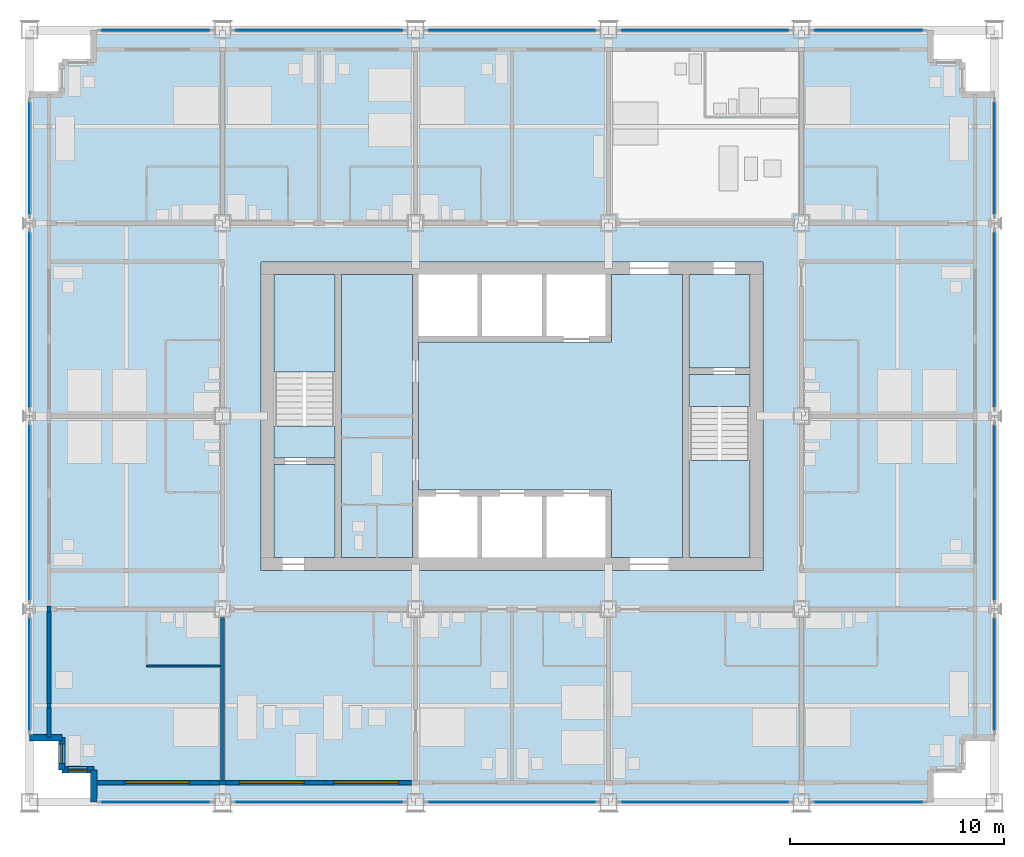
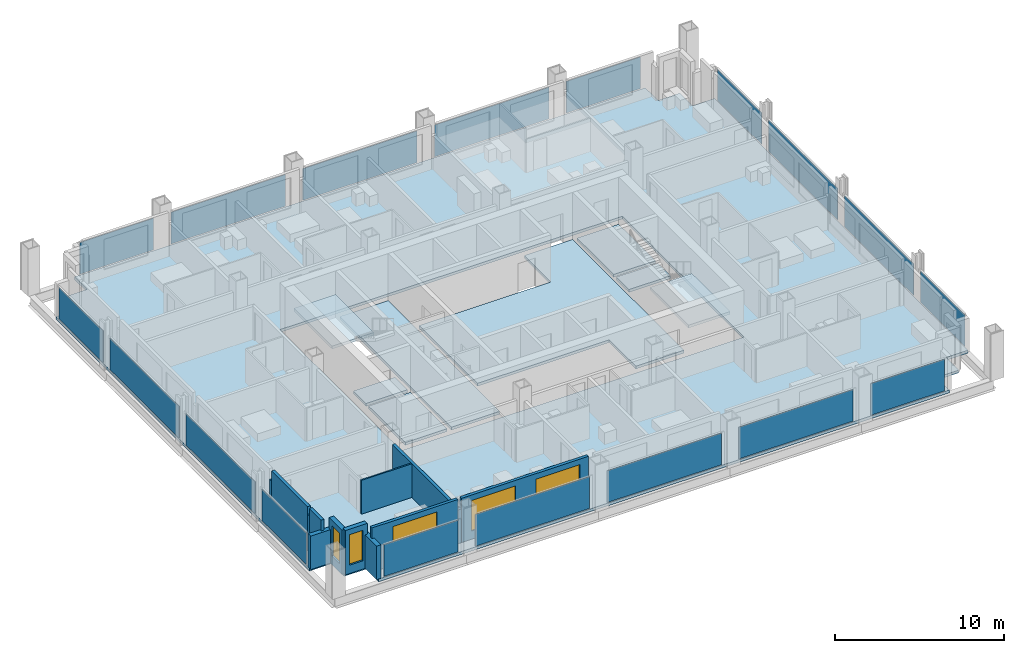
# One storey, part 8 of 16: 18 plates, 13 walls, 9 slabs, 5 windows, 5 openings, 20 elements without a shape of their own.
"""IFC4 building model written with IfcOpenShell, lengths in metres."""

from ifc_helpers import new_model, si_unit, direction, frame, frame_2d, origin, origin_2d, place, context, subcontext, project, spatial, polyline, rectangle, outline, extrude, material, layer, layer_set, type_object, element, fill, aggregate, save


model = new_model("IFC4")

# Units and contexts
model_context = context("Model", 3, precision=1e-05, world=origin(), true_north=direction((0.0, 1.0)))
body_context = subcontext(model_context, "Body", "Model", "MODEL_VIEW")
ifc_project = project(units=[si_unit("LENGTHUNIT", "METRE"), si_unit("AREAUNIT", "SQUARE_METRE"), si_unit("VOLUMEUNIT", "CUBIC_METRE"), si_unit("PLANEANGLEUNIT", "RADIAN"), si_unit("MASSUNIT", "GRAM", prefix="KILO")], contexts=[model_context])

# Site, building, storey
site_placement = place(None, origin())
site = spatial("IfcSite", under=ifc_project, at=site_placement, CompositionType="ELEMENT")
building_placement = place(site_placement, origin())
building = spatial("IfcBuilding", under=site, at=building_placement, Name="Loomwork Tower", CompositionType="ELEMENT")
storey_placement = place(building_placement, frame((0.0, 0.0, 128.199951171875)))
storey = spatial("IfcBuildingStorey", under=building, at=storey_placement, Name="L34", CompositionType="ELEMENT", Elevation=128.199951171875)

# Slabs
ifc_material_1 = material(Name="Concrete 5000 psi (34 MPa) on composite metal deck", Category="concrete")
ifc_layer_1 = layer(ifc_material_1, 0.199951171875)
ifc_layer_set_1 = layer_set([ifc_layer_1], Name="Floor slab 200")
slab_type_1 = type_object("IfcSlabType", Name="Floor slab 200", PredefinedType="FLOOR", material=ifc_layer_set_1)
slab_1_placement = place(storey_placement, frame((0.0, 0.0, -0.199951171875)))
element("IfcSlab", 1, at=slab_1_placement, inside=storey, type_object=slab_type_1, Name="Floor slab L34", PredefinedType="FLOOR", context=body_context, shape_type="SweptSolid", body=[
    extrude(outline(polyline([(3.0, 1.5), (1.5, 1.5), (1.5, 3.0), (0.0, 3.0), (0.0, 33.0), (1.5, 33.0), (1.5, 34.5), (3.0, 34.5), (3.0, 36.0), (42.0, 36.0), (42.0, 34.5), (43.5, 34.5), (43.5, 33.0), (45.0, 33.0), (45.0, 3.0), (43.5, 3.0), (43.5, 1.5), (42.0, 1.5), (42.0, 0.0), (3.0, 0.0), (3.0, 1.5)]), holes=[polyline([(10.800048828125, 11.39990234375), (10.800048828125, 11.39990234375), (10.800048828125, 10.800048828125), (34.199951171875, 10.800048828125), (34.199951171875, 11.39990234375), (34.199951171875, 11.39990234375), (34.199951171875, 24.60009765625), (34.199951171875, 25.199951171875), (10.800048828125, 25.199951171875), (10.800048828125, 24.60009765625), (10.800048828125, 11.39990234375)])]), origin(), (0.0, 0.0, 1.0), 0.199951171875),
])
slab_2_placement = place(storey_placement, frame((0.0, 0.0, -0.199951171875)))
element("IfcSlab", 2, at=slab_2_placement, inside=storey, type_object=slab_type_1, Name="Floor slab L34", PredefinedType="FLOOR", context=body_context, shape_type="SweptSolid", body=[
    extrude(outline(polyline([(30.449951171875, 24.60009765625), (30.449951171875, 11.39990234375), (27.14990234375, 11.39990234375), (27.14990234375, 14.25), (27.14990234375, 14.550048828125), (18.14990234375, 14.550048828125), (18.14990234375, 21.449951171875), (27.14990234375, 21.449951171875), (27.14990234375, 21.75), (27.14990234375, 24.60009765625), (30.449951171875, 24.60009765625)])), origin(), (0.0, 0.0, 1.0), 0.199951171875),
])
slab_3_placement = place(storey_placement, frame((0.0, 0.0, -0.199951171875)))
element("IfcSlab", 3, at=slab_3_placement, inside=storey, type_object=slab_type_1, Name="Floor slab L34", PredefinedType="FLOOR", context=body_context, shape_type="SweptSolid", body=[
    extrude(outline(polyline([(14.550048828125, 11.39990234375), (14.550048828125, 24.60009765625), (17.85009765625, 24.60009765625), (17.85009765625, 11.39990234375), (14.550048828125, 11.39990234375)])), origin(), (0.0, 0.0, 1.0), 0.199951171875),
])
slab_4_placement = place(storey_placement, frame((0.0, 0.0, -0.199951171875)))
element("IfcSlab", 4, at=slab_4_placement, inside=storey, type_object=slab_type_1, Name="Floor slab L34", PredefinedType="FLOOR", context=body_context, shape_type="SweptSolid", body=[
    extrude(outline(polyline([(33.60009765625, 20.25), (30.75, 20.25), (30.75, 24.60009765625), (33.60009765625, 24.60009765625), (33.60009765625, 20.25)])), origin(), (0.0, 0.0, 1.0), 0.199951171875),
])
slab_5_placement = place(storey_placement, frame((0.0, 0.0, -0.199951171875)))
element("IfcSlab", 5, at=slab_5_placement, inside=storey, type_object=slab_type_1, Name="Floor slab L34", PredefinedType="FLOOR", context=body_context, shape_type="SweptSolid", body=[
    extrude(outline(polyline([(14.25, 15.75), (14.25, 11.39990234375), (11.39990234375, 11.39990234375), (11.39990234375, 15.75), (14.25, 15.75)])), origin(), (0.0, 0.0, 1.0), 0.199951171875),
])

# Curtain wall, plate
ifc_material_2 = material(Name="Aluminium curtain wall frame", Category="aluminium")
curtain_wall_type = type_object("IfcCurtainWallType", Name="Outer skin glazing hotel", PredefinedType="NOTDEFINED", material=ifc_material_2)
curtain_wall_1_placement = place(storey_placement, origin())
curtain_wall_1 = element("IfcCurtainWall", 6, at=curtain_wall_1_placement, inside=storey, type_object=curtain_wall_type, Name="Outer skin glazing hotel cw/S-0", PredefinedType="NOTDEFINED")
ifc_material_3 = material(Name="Clear laminated glass", Category="glass")
ifc_layer_2 = layer(ifc_material_3, 0.02392578125)
ifc_layer_set_2 = layer_set([ifc_layer_2], Name="Outer skin glazing hotel panel")
plate_type = type_object("IfcPlateType", Name="Outer skin glazing hotel panel", PredefinedType="CURTAIN_PANEL", material=ifc_layer_set_2)
plate_1_placement = place(storey_placement, frame((5.875, 0.0, 0.06494140625), z_axis=(0.0, 0.0, 1.0), x_axis=(1.0, 0.0, 0.0)))
plate_1 = element("IfcPlate", 7, at=plate_1_placement, type_object=plate_type, Name="CW1 panel 1.1", PredefinedType="CURTAIN_PANEL", context=body_context, shape_type="SweptSolid", body=[
    extrude(rectangle(XDim=5.050048828125, YDim=0.02392578125, at=origin_2d()), origin(), (0.0, 0.0, 1.0), 2.290283203125),
])
aggregate(curtain_wall_1, [plate_1])

curtain_wall_2_placement = place(storey_placement, origin())
curtain_wall_2 = element("IfcCurtainWall", 8, at=curtain_wall_2_placement, inside=storey, type_object=curtain_wall_type, Name="Outer skin glazing hotel cw/S-9", PredefinedType="NOTDEFINED")
plate_2_placement = place(storey_placement, frame((13.5, 0.0, 0.06494140625), z_axis=(0.0, 0.0, 1.0), x_axis=(1.0, 0.0, 0.0)))
plate_2 = element("IfcPlate", 9, at=plate_2_placement, type_object=plate_type, Name="CW1 panel 1.1", PredefinedType="CURTAIN_PANEL", context=body_context, shape_type="SweptSolid", body=[
    extrude(rectangle(XDim=7.800048828125, YDim=0.02392578125, at=origin_2d()), origin(), (0.0, 0.0, 1.0), 2.290283203125),
])
aggregate(curtain_wall_2, [plate_2])

curtain_wall_3_placement = place(storey_placement, origin())
curtain_wall_3 = element("IfcCurtainWall", 10, at=curtain_wall_3_placement, inside=storey, type_object=curtain_wall_type, Name="Outer skin glazing hotel cw/S-18", PredefinedType="NOTDEFINED")
plate_3_placement = place(storey_placement, frame((22.5, 0.0, 0.06494140625), z_axis=(0.0, 0.0, 1.0), x_axis=(1.0, 0.0, 0.0)))
plate_3 = element("IfcPlate", 11, at=plate_3_placement, type_object=plate_type, Name="CW1 panel 1.1", PredefinedType="CURTAIN_PANEL", context=body_context, shape_type="SweptSolid", body=[
    extrude(rectangle(XDim=7.800048828125, YDim=0.02392578125, at=origin_2d()), origin(), (0.0, 0.0, 1.0), 2.290283203125),
])
aggregate(curtain_wall_3, [plate_3])

curtain_wall_4_placement = place(storey_placement, origin())
curtain_wall_4 = element("IfcCurtainWall", 12, at=curtain_wall_4_placement, inside=storey, type_object=curtain_wall_type, Name="Outer skin glazing hotel cw/S-27", PredefinedType="NOTDEFINED")
plate_4_placement = place(storey_placement, frame((31.5, 0.0, 0.06494140625), z_axis=(0.0, 0.0, 1.0), x_axis=(1.0, 0.0, 0.0)))
plate_4 = element("IfcPlate", 13, at=plate_4_placement, type_object=plate_type, Name="CW1 panel 1.1", PredefinedType="CURTAIN_PANEL", context=body_context, shape_type="SweptSolid", body=[
    extrude(rectangle(XDim=7.800048828125, YDim=0.02392578125, at=origin_2d()), origin(), (0.0, 0.0, 1.0), 2.290283203125),
])
aggregate(curtain_wall_4, [plate_4])

curtain_wall_5_placement = place(storey_placement, origin())
curtain_wall_5 = element("IfcCurtainWall", 14, at=curtain_wall_5_placement, inside=storey, type_object=curtain_wall_type, Name="Outer skin glazing hotel cw/S-36", PredefinedType="NOTDEFINED")
plate_5_placement = place(storey_placement, frame((39.125, 0.0, 0.06494140625), z_axis=(0.0, 0.0, 1.0), x_axis=(1.0, 0.0, 0.0)))
plate_5 = element("IfcPlate", 15, at=plate_5_placement, type_object=plate_type, Name="CW1 panel 1.1", PredefinedType="CURTAIN_PANEL", context=body_context, shape_type="SweptSolid", body=[
    extrude(rectangle(XDim=5.050048828125, YDim=0.02392578125, at=origin_2d()), origin(), (0.0, 0.0, 1.0), 2.290283203125),
])
aggregate(curtain_wall_5, [plate_5])

curtain_wall_6_placement = place(storey_placement, origin())
curtain_wall_6 = element("IfcCurtainWall", 16, at=curtain_wall_6_placement, inside=storey, type_object=curtain_wall_type, Name="Outer skin glazing hotel cw/N-0", PredefinedType="NOTDEFINED")
plate_6_placement = place(storey_placement, frame((5.875, 36.0, 0.06494140625), z_axis=(0.0, 0.0, 1.0), x_axis=(-1.0, 0.0, 0.0)))
plate_6 = element("IfcPlate", 17, at=plate_6_placement, type_object=plate_type, Name="CW1 panel 1.1", PredefinedType="CURTAIN_PANEL", context=body_context, shape_type="SweptSolid", body=[
    extrude(rectangle(XDim=5.050048828125, YDim=0.02392578125, at=origin_2d()), origin(), (0.0, 0.0, 1.0), 2.290283203125),
])
aggregate(curtain_wall_6, [plate_6])

curtain_wall_7_placement = place(storey_placement, origin())
curtain_wall_7 = element("IfcCurtainWall", 18, at=curtain_wall_7_placement, inside=storey, type_object=curtain_wall_type, Name="Outer skin glazing hotel cw/N-9", PredefinedType="NOTDEFINED")
plate_7_placement = place(storey_placement, frame((13.5, 36.0, 0.06494140625), z_axis=(0.0, 0.0, 1.0), x_axis=(-1.0, 0.0, 0.0)))
plate_7 = element("IfcPlate", 19, at=plate_7_placement, type_object=plate_type, Name="CW1 panel 1.1", PredefinedType="CURTAIN_PANEL", context=body_context, shape_type="SweptSolid", body=[
    extrude(rectangle(XDim=7.800048828125, YDim=0.02392578125, at=origin_2d()), origin(), (0.0, 0.0, 1.0), 2.290283203125),
])
aggregate(curtain_wall_7, [plate_7])

curtain_wall_8_placement = place(storey_placement, origin())
curtain_wall_8 = element("IfcCurtainWall", 20, at=curtain_wall_8_placement, inside=storey, type_object=curtain_wall_type, Name="Outer skin glazing hotel cw/N-18", PredefinedType="NOTDEFINED")
plate_8_placement = place(storey_placement, frame((22.5, 36.0, 0.06494140625), z_axis=(0.0, 0.0, 1.0), x_axis=(-1.0, 0.0, 0.0)))
plate_8 = element("IfcPlate", 21, at=plate_8_placement, type_object=plate_type, Name="CW1 panel 1.1", PredefinedType="CURTAIN_PANEL", context=body_context, shape_type="SweptSolid", body=[
    extrude(rectangle(XDim=7.800048828125, YDim=0.02392578125, at=origin_2d()), origin(), (0.0, 0.0, 1.0), 2.290283203125),
])
aggregate(curtain_wall_8, [plate_8])

curtain_wall_9_placement = place(storey_placement, origin())
curtain_wall_9 = element("IfcCurtainWall", 22, at=curtain_wall_9_placement, inside=storey, type_object=curtain_wall_type, Name="Outer skin glazing hotel cw/N-27", PredefinedType="NOTDEFINED")
plate_9_placement = place(storey_placement, frame((31.5, 36.0, 0.06494140625), z_axis=(0.0, 0.0, 1.0), x_axis=(-1.0, 0.0, 0.0)))
plate_9 = element("IfcPlate", 23, at=plate_9_placement, type_object=plate_type, Name="CW1 panel 1.1", PredefinedType="CURTAIN_PANEL", context=body_context, shape_type="SweptSolid", body=[
    extrude(rectangle(XDim=7.800048828125, YDim=0.02392578125, at=origin_2d()), origin(), (0.0, 0.0, 1.0), 2.290283203125),
])
aggregate(curtain_wall_9, [plate_9])

curtain_wall_10_placement = place(storey_placement, origin())
curtain_wall_10 = element("IfcCurtainWall", 24, at=curtain_wall_10_placement, inside=storey, type_object=curtain_wall_type, Name="Outer skin glazing hotel cw/N-36", PredefinedType="NOTDEFINED")
plate_10_placement = place(storey_placement, frame((39.125, 36.0, 0.06494140625), z_axis=(0.0, 0.0, 1.0), x_axis=(-1.0, 0.0, 0.0)))
plate_10 = element("IfcPlate", 25, at=plate_10_placement, type_object=plate_type, Name="CW1 panel 1.1", PredefinedType="CURTAIN_PANEL", context=body_context, shape_type="SweptSolid", body=[
    extrude(rectangle(XDim=5.050048828125, YDim=0.02392578125, at=origin_2d()), origin(), (0.0, 0.0, 1.0), 2.290283203125),
])
aggregate(curtain_wall_10, [plate_10])

curtain_wall_11_placement = place(storey_placement, origin())
curtain_wall_11 = element("IfcCurtainWall", 26, at=curtain_wall_11_placement, inside=storey, type_object=curtain_wall_type, Name="Outer skin glazing hotel cw/W-0", PredefinedType="NOTDEFINED")
plate_11_placement = place(storey_placement, frame((0.0, 5.964599609375, 0.06494140625), z_axis=(0.0, 0.0, 1.0), x_axis=(0.0, -1.0, 0.0)))
plate_11 = element("IfcPlate", 27, at=plate_11_placement, type_object=plate_type, Name="CW1 panel 1.1", PredefinedType="CURTAIN_PANEL", context=body_context, shape_type="SweptSolid", body=[
    extrude(rectangle(XDim=5.22900390625, YDim=0.02392578125, at=origin_2d()), origin(), (0.0, 0.0, 1.0), 2.290283203125),
])
aggregate(curtain_wall_11, [plate_11])

curtain_wall_12_placement = place(storey_placement, origin())
curtain_wall_12 = element("IfcCurtainWall", 28, at=curtain_wall_12_placement, inside=storey, type_object=curtain_wall_type, Name="Outer skin glazing hotel cw/W-9", PredefinedType="NOTDEFINED")
plate_12_placement = place(storey_placement, frame((0.0, 13.5, 0.06494140625), z_axis=(0.0, 0.0, 1.0), x_axis=(0.0, -1.0, 0.0)))
plate_12 = element("IfcPlate", 29, at=plate_12_placement, type_object=plate_type, Name="CW1 panel 1.1", PredefinedType="CURTAIN_PANEL", context=body_context, shape_type="SweptSolid", body=[
    extrude(rectangle(XDim=8.157958984375, YDim=0.02392578125, at=origin_2d()), origin(), (0.0, 0.0, 1.0), 2.290283203125),
])
aggregate(curtain_wall_12, [plate_12])

curtain_wall_13_placement = place(storey_placement, origin())
curtain_wall_13 = element("IfcCurtainWall", 30, at=curtain_wall_13_placement, inside=storey, type_object=curtain_wall_type, Name="Outer skin glazing hotel cw/W-18", PredefinedType="NOTDEFINED")
plate_13_placement = place(storey_placement, frame((0.0, 22.5, 0.06494140625), z_axis=(0.0, 0.0, 1.0), x_axis=(0.0, -1.0, 0.0)))
plate_13 = element("IfcPlate", 31, at=plate_13_placement, type_object=plate_type, Name="CW1 panel 1.1", PredefinedType="CURTAIN_PANEL", context=body_context, shape_type="SweptSolid", body=[
    extrude(rectangle(XDim=8.157958984375, YDim=0.02392578125, at=origin_2d()), origin(), (0.0, 0.0, 1.0), 2.290283203125),
])
aggregate(curtain_wall_13, [plate_13])

curtain_wall_14_placement = place(storey_placement, origin())
curtain_wall_14 = element("IfcCurtainWall", 32, at=curtain_wall_14_placement, inside=storey, type_object=curtain_wall_type, Name="Outer skin glazing hotel cw/W-27", PredefinedType="NOTDEFINED")
plate_14_placement = place(storey_placement, frame((0.0, 30.035400390625, 0.06494140625), z_axis=(0.0, 0.0, 1.0), x_axis=(0.0, -1.0, 0.0)))
plate_14 = element("IfcPlate", 33, at=plate_14_placement, type_object=plate_type, Name="CW1 panel 1.1", PredefinedType="CURTAIN_PANEL", context=body_context, shape_type="SweptSolid", body=[
    extrude(rectangle(XDim=5.22900390625, YDim=0.02392578125, at=origin_2d()), origin(), (0.0, 0.0, 1.0), 2.290283203125),
])
aggregate(curtain_wall_14, [plate_14])

curtain_wall_15_placement = place(storey_placement, origin())
curtain_wall_15 = element("IfcCurtainWall", 34, at=curtain_wall_15_placement, inside=storey, type_object=curtain_wall_type, Name="Outer skin glazing hotel cw/E-0", PredefinedType="NOTDEFINED")
plate_15_placement = place(storey_placement, frame((45.0, 5.964599609375, 0.06494140625), z_axis=(0.0, 0.0, 1.0), x_axis=(0.0, 1.0, 0.0)))
plate_15 = element("IfcPlate", 35, at=plate_15_placement, type_object=plate_type, Name="CW1 panel 1.1", PredefinedType="CURTAIN_PANEL", context=body_context, shape_type="SweptSolid", body=[
    extrude(rectangle(XDim=5.22900390625, YDim=0.02392578125, at=origin_2d()), origin(), (0.0, 0.0, 1.0), 2.290283203125),
])
aggregate(curtain_wall_15, [plate_15])

curtain_wall_16_placement = place(storey_placement, origin())
curtain_wall_16 = element("IfcCurtainWall", 36, at=curtain_wall_16_placement, inside=storey, type_object=curtain_wall_type, Name="Outer skin glazing hotel cw/E-9", PredefinedType="NOTDEFINED")
plate_16_placement = place(storey_placement, frame((45.0, 13.5, 0.06494140625), z_axis=(0.0, 0.0, 1.0), x_axis=(0.0, 1.0, 0.0)))
plate_16 = element("IfcPlate", 37, at=plate_16_placement, type_object=plate_type, Name="CW1 panel 1.1", PredefinedType="CURTAIN_PANEL", context=body_context, shape_type="SweptSolid", body=[
    extrude(rectangle(XDim=8.157958984375, YDim=0.02392578125, at=origin_2d()), origin(), (0.0, 0.0, 1.0), 2.290283203125),
])
aggregate(curtain_wall_16, [plate_16])

curtain_wall_17_placement = place(storey_placement, origin())
curtain_wall_17 = element("IfcCurtainWall", 38, at=curtain_wall_17_placement, inside=storey, type_object=curtain_wall_type, Name="Outer skin glazing hotel cw/E-18", PredefinedType="NOTDEFINED")
plate_17_placement = place(storey_placement, frame((45.0, 22.5, 0.06494140625), z_axis=(0.0, 0.0, 1.0), x_axis=(0.0, 1.0, 0.0)))
plate_17 = element("IfcPlate", 39, at=plate_17_placement, type_object=plate_type, Name="CW1 panel 1.1", PredefinedType="CURTAIN_PANEL", context=body_context, shape_type="SweptSolid", body=[
    extrude(rectangle(XDim=8.157958984375, YDim=0.02392578125, at=origin_2d()), origin(), (0.0, 0.0, 1.0), 2.290283203125),
])
aggregate(curtain_wall_17, [plate_17])

curtain_wall_18_placement = place(storey_placement, origin())
curtain_wall_18 = element("IfcCurtainWall", 40, at=curtain_wall_18_placement, inside=storey, type_object=curtain_wall_type, Name="Outer skin glazing hotel cw/E-27", PredefinedType="NOTDEFINED")
plate_18_placement = place(storey_placement, frame((45.0, 30.035400390625, 0.06494140625), z_axis=(0.0, 0.0, 1.0), x_axis=(0.0, 1.0, 0.0)))
plate_18 = element("IfcPlate", 41, at=plate_18_placement, type_object=plate_type, Name="CW1 panel 1.1", PredefinedType="CURTAIN_PANEL", context=body_context, shape_type="SweptSolid", body=[
    extrude(rectangle(XDim=5.22900390625, YDim=0.02392578125, at=origin_2d()), origin(), (0.0, 0.0, 1.0), 2.290283203125),
])
aggregate(curtain_wall_18, [plate_18])

# Stair, slabs
ifc_material_4 = material(Name="Concrete 5000 psi (34 MPa) precast stair", Category="concrete")
stair_type_1 = type_object("IfcStairType", Name="Stair ST-A 20 risers 2850 wide", PredefinedType="HALF_TURN_STAIR", material=ifc_material_4)
stair_1_placement = place(storey_placement, origin())
stair_1 = element("IfcStair", 42, at=stair_1_placement, inside=storey, type_object=stair_type_1, Name="Stair A L34", PredefinedType="HALF_TURN_STAIR")
ifc_material_5 = material(Name="Concrete 5000 psi (34 MPa)", Category="concrete")
ifc_layer_3 = layer(ifc_material_5, 0.199951171875)
ifc_layer_set_3 = layer_set([ifc_layer_3], Name="Stair landing 200")
slab_type_2 = type_object("IfcSlabType", Name="Stair landing 200", PredefinedType="LANDING", material=ifc_layer_set_3)
slab_6_placement = place(storey_placement, frame((0.0, 0.0, -0.199951171875)))
slab_6 = element("IfcSlab", 43, at=slab_6_placement, type_object=slab_type_2, Name="ST-A landing 1", PredefinedType="LANDING", context=body_context, shape_type="SweptSolid", body=[
    extrude(outline(polyline([(11.39990234375, 16.050048828125), (14.25, 16.050048828125), (14.25, 17.550048828125), (11.39990234375, 17.550048828125), (11.39990234375, 16.050048828125)])), origin(), (0.0, 0.0, 1.0), 0.199951171875),
])
slab_7_placement = place(storey_placement, frame((0.0, 0.0, 1.5)))
slab_7 = element("IfcSlab", 44, at=slab_7_placement, type_object=slab_type_2, Name="ST-A landing 2", PredefinedType="LANDING", context=body_context, shape_type="SweptSolid", body=[
    extrude(outline(polyline([(11.39990234375, 20.070068359375), (14.25, 20.070068359375), (14.25, 24.60009765625), (11.39990234375, 24.60009765625), (11.39990234375, 20.070068359375)])), origin(), (0.0, 0.0, 1.0), 0.199951171875),
])
aggregate(stair_1, [slab_6, slab_7])

ifc_material_6 = material(Name="Concrete 5000 psi (34 MPa) precast stair", Category="concrete")
stair_type_2 = type_object("IfcStairType", Name="Stair ST-B 20 risers 2850 wide", PredefinedType="HALF_TURN_STAIR", material=ifc_material_6)
stair_2_placement = place(storey_placement, origin())
stair_2 = element("IfcStair", 45, at=stair_2_placement, inside=storey, type_object=stair_type_2, Name="Stair B L34", PredefinedType="HALF_TURN_STAIR")
slab_8_placement = place(storey_placement, frame((0.0, 0.0, -0.199951171875)))
slab_8 = element("IfcSlab", 46, at=slab_8_placement, type_object=slab_type_2, Name="ST-B landing 1", PredefinedType="LANDING", context=body_context, shape_type="SweptSolid", body=[
    extrude(outline(polyline([(30.75, 18.449951171875), (33.60009765625, 18.449951171875), (33.60009765625, 19.949951171875), (30.75, 19.949951171875), (30.75, 18.449951171875)])), origin(), (0.0, 0.0, 1.0), 0.199951171875),
])
slab_9_placement = place(storey_placement, frame((0.0, 0.0, 1.5)))
slab_9 = element("IfcSlab", 47, at=slab_9_placement, type_object=slab_type_2, Name="ST-B landing 2", PredefinedType="LANDING", context=body_context, shape_type="SweptSolid", body=[
    extrude(outline(polyline([(30.75, 11.39990234375), (33.60009765625, 11.39990234375), (33.60009765625, 15.929931640625), (30.75, 15.929931640625), (30.75, 11.39990234375)])), origin(), (0.0, 0.0, 1.0), 0.199951171875),
])
aggregate(stair_2, [slab_8, slab_9])

# Walls
ifc_material_7 = material(Name="Cement board on steel studs", Category="steel")
ifc_layer_4 = layer(ifc_material_7, 0.10009765625)
ifc_layer_set_4 = layer_set([ifc_layer_4], Name="En-suite partition 100")
wall_type_1 = type_object("IfcWallType", Name="En-suite partition 100", PredefinedType="PARTITIONING", material=ifc_layer_set_4)
wall_1_placement = place(storey_placement, frame((5.449951171875, 6.35009765625, 0.0), z_axis=(0.0, 0.0, 1.0), x_axis=(1.0, 0.0, 0.0)))
element("IfcWall", 48, at=wall_1_placement, inside=storey, type_object=wall_type_1, Name="En-suite wall L34 room 1", PredefinedType="PARTITIONING", context=body_context, shape_type="SweptSolid", body=[
    extrude(rectangle(XDim=3.449951171875, YDim=0.10009765625, at=frame_2d((1.72509765625, 0.0))), origin(), (0.0, 0.0, 1.0), 2.43798828125),
])
ifc_material_8 = material(Name="Gypsum board on steel studs, acoustic", Category="steel")
ifc_layer_5 = layer(ifc_material_8, 0.199951171875)
ifc_layer_set_5 = layer_set([ifc_layer_5], Name="Guest room party wall 200")
wall_type_2 = type_object("IfcWallType", Name="Guest room party wall 200", PredefinedType="PARTITIONING", material=ifc_layer_set_5)
wall_2_placement = place(storey_placement, frame((9.0, 8.60009765625, 0.0), z_axis=(0.0, 0.0, 1.0), x_axis=(0.0, -1.0, 0.0)))
element("IfcWall", 49, at=wall_2_placement, inside=storey, type_object=wall_type_2, Name="Guest room party wall S 9", PredefinedType="PARTITIONING", context=body_context, shape_type="SweptSolid", body=[
    extrude(rectangle(XDim=7.60009765625, YDim=0.199951171875, at=frame_2d((3.800048828125, 0.0))), origin(), (0.0, 0.0, 1.0), 2.43798828125),
])

# Wall, opening, window
ifc_material_9 = material(Name="Insulated steel stud wall with gypsum lining", Category="steel")
ifc_layer_6 = layer(ifc_material_9, 0.199951171875)
ifc_layer_set_6 = layer_set([ifc_layer_6], Name="Inner skin wall 200")
wall_type_3 = type_object("IfcWallType", Name="Inner skin wall 200", PredefinedType="SOLIDWALL", material=ifc_layer_set_6)
wall_3_placement = place(storey_placement, frame((3.0, 0.89990234375, 0.0), z_axis=(0.0, 0.0, 1.0), x_axis=(1.0, 0.0, 0.0)))
wall_3 = element("IfcWall", 50, at=wall_3_placement, inside=storey, type_object=wall_type_3, Name="Inner skin wall S", PredefinedType="SOLIDWALL", context=body_context, shape_type="SweptSolid", body=[
    extrude(rectangle(XDim=5.86474609375, YDim=0.199951171875, at=frame_2d((2.932373046875, 0.0))), origin(), (0.0, 0.0, 1.0), 3.199951171875),
])
opening_1_placement = place(wall_3_placement, frame((1.449951171875, 0.0, 0.60009765625)))
opening_1 = element("IfcOpeningElement", 51, at=opening_1_placement, cuts=wall_3, Name="Opening CH1", PredefinedType="OPENING", context=body_context, shape_type="SweptSolid", body=[
    extrude(rectangle(XDim=3.0, YDim=2.199951171875, at=frame_2d((1.5, 1.10009765625))), frame((0.0, 0.10986328125, 0.0), z_axis=(0.0, -1.0, 0.0), x_axis=(1.0, 0.0, 0.0)), (0.0, 0.0, 1.0), 0.219970703125),
])
ifc_material_10 = material(Name="Aluminium frame with clear insulated glass", Category="aluminium")
window_type_1 = type_object("IfcWindowType", Name="Chicago window 3000", PartitioningType="TRIPLE_PANEL_VERTICAL", PredefinedType="WINDOW", material=ifc_material_10)
window_1_placement = place(opening_1_placement, origin())
window_1 = element("IfcWindow", 52, at=window_1_placement, inside=storey, type_object=window_type_1, Name="Chicago window L34 bay 1", OverallHeight=2.199951171875, OverallWidth=3.0, PartitioningType="TRIPLE_PANEL_VERTICAL", PredefinedType="WINDOW", context=body_context, shape_type="SweptSolid", body=[
    extrude(rectangle(XDim=3.0, YDim=2.199951171875, at=frame_2d((1.5, 1.10009765625))), frame((0.0, 0.030029296875, 0.0), z_axis=(0.0, -1.0, 0.0), x_axis=(1.0, 0.0, 0.0)), (0.0, 0.0, 1.0), 0.06005859375),
])
fill(opening_1, window_1)

# Walls
wall_4_placement = place(storey_placement, frame((0.89990234375, 3.0, 0.0), z_axis=(0.0, 0.0, 1.0), x_axis=(0.0, 1.0, 0.0)))
element("IfcWall", 53, at=wall_4_placement, inside=storey, type_object=wall_type_3, Name="Inner skin wall W", PredefinedType="SOLIDWALL", context=body_context, shape_type="SweptSolid", body=[
    extrude(rectangle(XDim=1.392578125, YDim=0.199951171875, at=frame_2d((0.6962890625, 0.0))), origin(), (0.0, 0.0, 1.0), 3.199951171875),
])
wall_5_placement = place(storey_placement, frame((8.86474609375, 0.89990234375, 0.0), z_axis=(0.0, 0.0, 1.0), x_axis=(1.0, 0.0, 0.0)))
element("IfcWall", 54, at=wall_5_placement, inside=storey, type_object=wall_type_3, Name="Inner skin wall S bay 2", PredefinedType="SOLIDWALL", context=body_context, shape_type="SweptSolid", body=[
    extrude(rectangle(XDim=0.2705078125, YDim=0.199951171875, at=frame_2d((0.13525390625, 0.0))), origin(), (0.0, 0.0, 1.0), 2.43798828125),
])

# Wall, openings, windows
wall_6_placement = place(storey_placement, frame((9.13525390625, 0.89990234375, 0.0), z_axis=(0.0, 0.0, 1.0), x_axis=(1.0, 0.0, 0.0)))
wall_6 = element("IfcWall", 55, at=wall_6_placement, inside=storey, type_object=wall_type_3, Name="Inner skin wall S bay 3", PredefinedType="SOLIDWALL", context=body_context, shape_type="SweptSolid", body=[
    extrude(rectangle(XDim=8.6708984375, YDim=0.199951171875, at=frame_2d((4.33544921875, 0.0))), origin(), (0.0, 0.0, 1.0), 3.199951171875),
])
opening_2_placement = place(wall_6_placement, frame((0.664794921875, 0.0, 0.60009765625)))
opening_2 = element("IfcOpeningElement", 56, at=opening_2_placement, cuts=wall_6, Name="Opening CH1", PredefinedType="OPENING", context=body_context, shape_type="SweptSolid", body=[
    extrude(rectangle(XDim=3.0, YDim=2.199951171875, at=frame_2d((1.5, 1.10009765625))), frame((0.0, 0.10986328125, 0.0), z_axis=(0.0, -1.0, 0.0), x_axis=(1.0, 0.0, 0.0)), (0.0, 0.0, 1.0), 0.219970703125),
])
opening_3_placement = place(wall_6_placement, frame((5.064697265625, 0.0, 0.60009765625)))
opening_3 = element("IfcOpeningElement", 57, at=opening_3_placement, cuts=wall_6, Name="Opening CH1", PredefinedType="OPENING", context=body_context, shape_type="SweptSolid", body=[
    extrude(rectangle(XDim=3.0, YDim=2.199951171875, at=frame_2d((1.5, 1.10009765625))), frame((0.0, 0.10986328125, 0.0), z_axis=(0.0, -1.0, 0.0), x_axis=(1.0, 0.0, 0.0)), (0.0, 0.0, 1.0), 0.219970703125),
])
window_2_placement = place(opening_2_placement, origin())
window_2 = element("IfcWindow", 58, at=window_2_placement, inside=storey, type_object=window_type_1, Name="Chicago window L34 bay 2", OverallHeight=2.199951171875, OverallWidth=3.0, PartitioningType="TRIPLE_PANEL_VERTICAL", PredefinedType="WINDOW", context=body_context, shape_type="SweptSolid", body=[
    extrude(rectangle(XDim=3.0, YDim=2.199951171875, at=frame_2d((1.5, 1.10009765625))), frame((0.0, 0.030029296875, 0.0), z_axis=(0.0, -1.0, 0.0), x_axis=(1.0, 0.0, 0.0)), (0.0, 0.0, 1.0), 0.06005859375),
])
fill(opening_2, window_2)
window_3_placement = place(opening_3_placement, origin())
window_3 = element("IfcWindow", 59, at=window_3_placement, inside=storey, type_object=window_type_1, Name="Chicago window L34 bay 2", OverallHeight=2.199951171875, OverallWidth=3.0, PartitioningType="TRIPLE_PANEL_VERTICAL", PredefinedType="WINDOW", context=body_context, shape_type="SweptSolid", body=[
    extrude(rectangle(XDim=3.0, YDim=2.199951171875, at=frame_2d((1.5, 1.10009765625))), frame((0.0, 0.030029296875, 0.0), z_axis=(0.0, -1.0, 0.0), x_axis=(1.0, 0.0, 0.0)), (0.0, 0.0, 1.0), 0.06005859375),
])
fill(opening_3, window_3)

# Walls
wall_7_placement = place(storey_placement, frame((0.89990234375, 4.392578125, 0.0), z_axis=(0.0, 0.0, 1.0), x_axis=(0.0, 1.0, 0.0)))
element("IfcWall", 60, at=wall_7_placement, inside=storey, type_object=wall_type_3, Name="Inner skin wall W bay 2", PredefinedType="SOLIDWALL", context=body_context, shape_type="SweptSolid", body=[
    extrude(rectangle(XDim=0.21484375, YDim=0.199951171875, at=frame_2d((0.107421875, 0.0))), origin(), (0.0, 0.0, 1.0), 2.6611328125),
])
wall_8_placement = place(storey_placement, frame((0.89990234375, 4.607421875, 0.0), z_axis=(0.0, 0.0, 1.0), x_axis=(0.0, 1.0, 0.0)))
element("IfcWall", 61, at=wall_8_placement, inside=storey, type_object=wall_type_3, Name="Inner skin wall W bay 3", PredefinedType="SOLIDWALL", context=body_context, shape_type="SweptSolid", body=[
    extrude(rectangle(XDim=4.25732421875, YDim=0.199951171875, at=frame_2d((2.128662109375, 0.0))), origin(), (0.0, 0.0, 1.0), 3.199951171875),
])
wall_9_placement = place(storey_placement, frame((0.89990234375, 8.86474609375, 0.0), z_axis=(0.0, 0.0, 1.0), x_axis=(0.0, 1.0, 0.0)))
element("IfcWall", 62, at=wall_9_placement, inside=storey, type_object=wall_type_3, Name="Inner skin wall W bay 4", PredefinedType="SOLIDWALL", context=body_context, shape_type="SweptSolid", body=[
    extrude(rectangle(XDim=0.2705078125, YDim=0.199951171875, at=frame_2d((0.13525390625, 0.0))), origin(), (0.0, 0.0, 1.0), 2.43798828125),
])
ifc_material_11 = material(Name="Limestone on concrete masonry", Category="masonry")
ifc_layer_7 = layer(ifc_material_11, 0.300048828125)
ifc_layer_set_7 = layer_set([ifc_layer_7], Name="Limestone corner wall 300")
wall_type_4 = type_object("IfcWallType", Name="Limestone corner wall 300", PredefinedType="SOLIDWALL", material=ifc_layer_set_7)
wall_10_placement = place(storey_placement, frame((0.0, 3.0, 0.0), z_axis=(0.0, 0.0, 1.0), x_axis=(1.0, 0.0, 0.0)))
element("IfcWall", 63, at=wall_10_placement, inside=storey, type_object=wall_type_4, Name="Stone corner wall SW 1", PredefinedType="SOLIDWALL", context=body_context, shape_type="SweptSolid", body=[
    extrude(rectangle(XDim=1.5, YDim=0.300048828125, at=frame_2d((0.75, 0.0))), origin(), (0.0, 0.0, 1.0), 2.420166015625),
])

# Wall, opening, window
wall_11_placement = place(storey_placement, frame((1.5, 3.0, 0.0), z_axis=(0.0, 0.0, 1.0), x_axis=(0.0, -1.0, 0.0)))
wall_11 = element("IfcWall", 64, at=wall_11_placement, inside=storey, type_object=wall_type_4, Name="Stone corner wall SW 2", PredefinedType="SOLIDWALL", context=body_context, shape_type="SweptSolid", body=[
    extrude(rectangle(XDim=1.5, YDim=0.300048828125, at=frame_2d((0.75, 0.0))), origin(), (0.0, 0.0, 1.0), 3.199951171875),
])
opening_4_placement = place(wall_11_placement, frame((0.300048828125, 0.0, 0.60009765625)))
opening_4 = element("IfcOpeningElement", 65, at=opening_4_placement, cuts=wall_11, Name="Opening CH2", PredefinedType="OPENING", context=body_context, shape_type="SweptSolid", body=[
    extrude(rectangle(XDim=0.89990234375, YDim=2.199951171875, at=frame_2d((0.449951171875, 1.10009765625))), frame((0.0, 0.159912109375, 0.0), z_axis=(0.0, -1.0, 0.0), x_axis=(1.0, 0.0, 0.0)), (0.0, 0.0, 1.0), 0.320068359375),
])
ifc_material_12 = material(Name="Aluminium frame with clear insulated glass", Category="aluminium")
window_type_2 = type_object("IfcWindowType", Name="Corner window 900", PartitioningType="SINGLE_PANEL", PredefinedType="WINDOW", material=ifc_material_12)
window_4_placement = place(opening_4_placement, origin())
window_4 = element("IfcWindow", 66, at=window_4_placement, inside=storey, type_object=window_type_2, Name="Corner window SW", OverallHeight=2.199951171875, OverallWidth=0.89990234375, PartitioningType="SINGLE_PANEL", PredefinedType="WINDOW", context=body_context, shape_type="SweptSolid", body=[
    extrude(rectangle(XDim=0.89990234375, YDim=2.199951171875, at=frame_2d((0.449951171875, 1.10009765625))), frame((0.0, 0.030029296875, 0.0), z_axis=(0.0, -1.0, 0.0), x_axis=(1.0, 0.0, 0.0)), (0.0, 0.0, 1.0), 0.06005859375),
])
fill(opening_4, window_4)

wall_12_placement = place(storey_placement, frame((1.5, 1.5, 0.0), z_axis=(0.0, 0.0, 1.0), x_axis=(1.0, 0.0, 0.0)))
wall_12 = element("IfcWall", 67, at=wall_12_placement, inside=storey, type_object=wall_type_4, Name="Stone corner wall SW 3", PredefinedType="SOLIDWALL", context=body_context, shape_type="SweptSolid", body=[
    extrude(rectangle(XDim=1.5, YDim=0.300048828125, at=frame_2d((0.75, 0.0))), origin(), (0.0, 0.0, 1.0), 3.199951171875),
])
opening_5_placement = place(wall_12_placement, frame((0.300048828125, 0.0, 0.60009765625)))
opening_5 = element("IfcOpeningElement", 68, at=opening_5_placement, cuts=wall_12, Name="Opening CH2", PredefinedType="OPENING", context=body_context, shape_type="SweptSolid", body=[
    extrude(rectangle(XDim=0.89990234375, YDim=2.199951171875, at=frame_2d((0.449951171875, 1.10009765625))), frame((0.0, 0.159912109375, 0.0), z_axis=(0.0, -1.0, 0.0), x_axis=(1.0, 0.0, 0.0)), (0.0, 0.0, 1.0), 0.320068359375),
])
window_5_placement = place(opening_5_placement, origin())
window_5 = element("IfcWindow", 69, at=window_5_placement, inside=storey, type_object=window_type_2, Name="Corner window SW", OverallHeight=2.199951171875, OverallWidth=0.89990234375, PartitioningType="SINGLE_PANEL", PredefinedType="WINDOW", context=body_context, shape_type="SweptSolid", body=[
    extrude(rectangle(XDim=0.89990234375, YDim=2.199951171875, at=frame_2d((0.449951171875, 1.10009765625))), frame((0.0, 0.030029296875, 0.0), z_axis=(0.0, -1.0, 0.0), x_axis=(1.0, 0.0, 0.0)), (0.0, 0.0, 1.0), 0.06005859375),
])
fill(opening_5, window_5)

# Wall
wall_13_placement = place(storey_placement, frame((3.0, 1.5, 0.0), z_axis=(0.0, 0.0, 1.0), x_axis=(0.0, -1.0, 0.0)))
element("IfcWall", 70, at=wall_13_placement, inside=storey, type_object=wall_type_4, Name="Stone corner wall SW 4", PredefinedType="SOLIDWALL", context=body_context, shape_type="SweptSolid", body=[
    extrude(rectangle(XDim=1.5, YDim=0.300048828125, at=frame_2d((0.75, 0.0))), origin(), (0.0, 0.0, 1.0), 2.420166015625),
])

save(model, "model.ifc")
